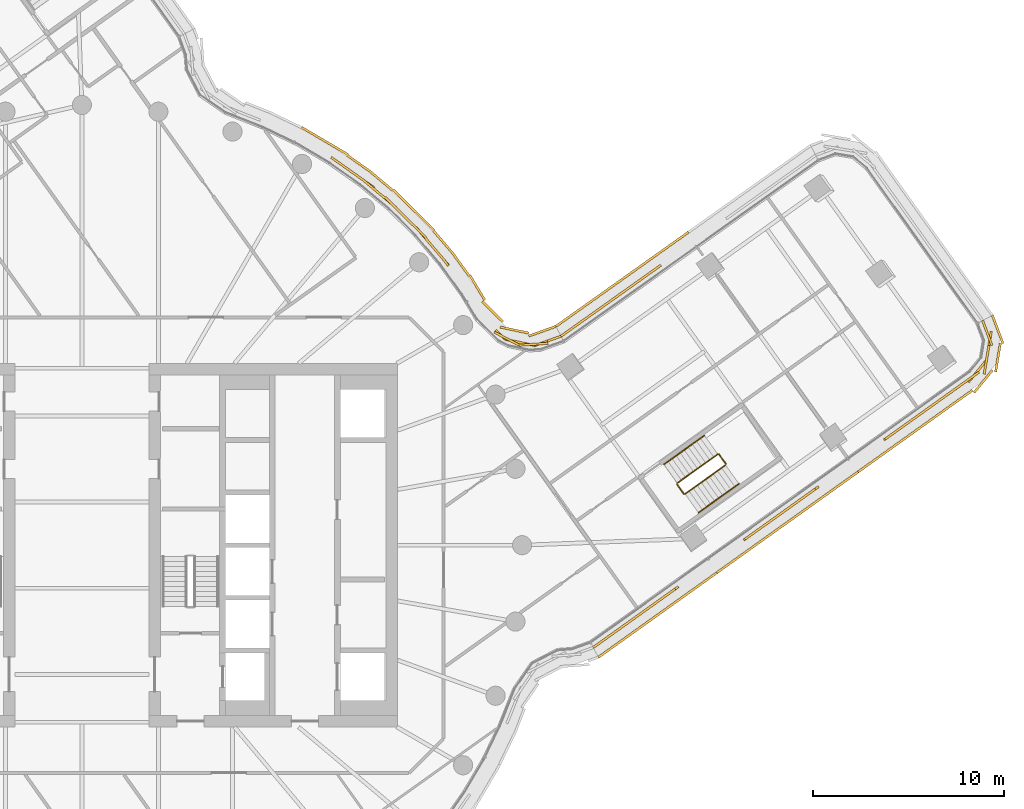
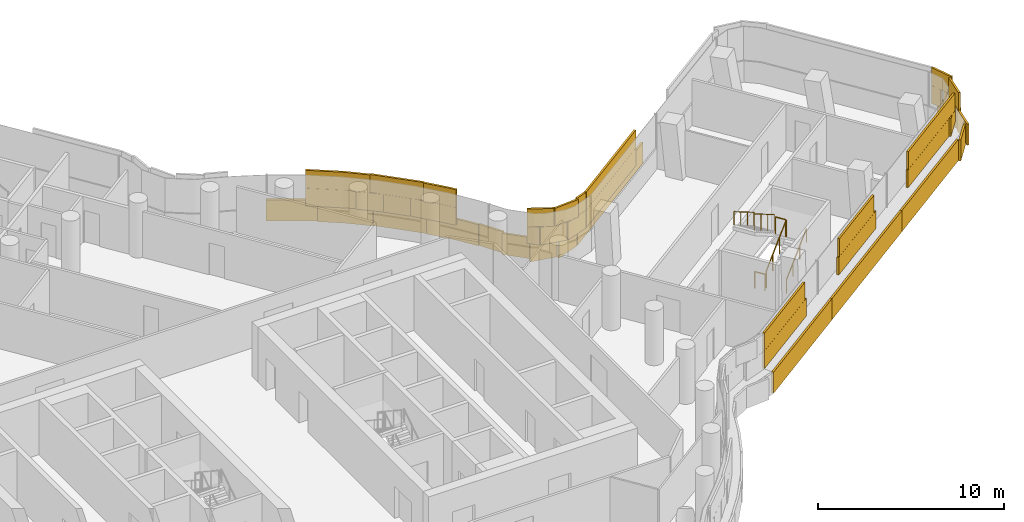
# One storey, part 29 of 31: 6 railings, 5 coverings.
"""IFC4 building model written with IfcOpenShell, lengths in metres."""

from ifc_helpers import new_model, si_unit, direction, frame, origin, origin_2d, place, context, subcontext, project, spatial, rectangle, circle, extrude, material, layer, layer_set, type_object, element, save


model = new_model("IFC4")

# Units and contexts
model_context = context("Model", 3, precision=1e-05, world=origin(), true_north=direction((0.0, 1.0)))
body_context = subcontext(model_context, "Body", "Model", "MODEL_VIEW")
ifc_project = project(units=[si_unit("LENGTHUNIT", "METRE"), si_unit("AREAUNIT", "SQUARE_METRE"), si_unit("VOLUMEUNIT", "CUBIC_METRE"), si_unit("PLANEANGLEUNIT", "RADIAN"), si_unit("MASSUNIT", "GRAM", prefix="KILO")], contexts=[model_context])

# Site, building, storey
site_placement = place(None, origin())
site = spatial("IfcSite", under=ifc_project, at=site_placement, CompositionType="ELEMENT")
building_placement = place(site_placement, origin())
building = spatial("IfcBuilding", under=site, at=building_placement, Name="Tamarind Cross Interchange Tower", CompositionType="ELEMENT")
storey_placement = place(building_placement, frame((0.0, 0.0, 163.0)))
storey = spatial("IfcBuildingStorey", under=building, at=storey_placement, Name="L40", CompositionType="ELEMENT", Elevation=163.0)

# Railings
ifc_material_1 = material(Name="Stair guard")
railing_type_1 = type_object("IfcRailingType", Name="Stair guard", PredefinedType="GUARDRAIL", material=ifc_material_1)
railing_1_placement = place(storey_placement, frame((31.515625, 2.677001953125, 0.17041015625)))
element("IfcRailing", 1, at=railing_1_placement, inside=storey, type_object=railing_type_1, Name="L40 ST3 stair guard 1", PredefinedType="GUARDRAIL", context=body_context, shape_type="SweptSolid", body=[
    extrude(circle(Radius=0.02392578125, at=origin_2d()), frame((0.0, 0.0, 1.076171875), z_axis=(0.680615036095, 0.485940445754, 0.548292855892), x_axis=(-0.581069410293, 0.813854004365, 0.0)), (0.0, 0.0, 1.0), 3.10888671875),
    extrude(circle(Radius=0.02099609375, at=origin_2d()), origin(), (0.0, 0.0, 1.0), 1.052001953125),
    extrude(circle(Radius=0.02099609375, at=origin_2d()), frame((0.705322265625, 0.503662109375, 0.568115234375)), (0.0, 0.0, 1.0), 1.052001953125),
    extrude(circle(Radius=0.02099609375, at=origin_2d()), frame((1.41064453125, 1.007080078125, 1.136474609375)), (0.0, 0.0, 1.0), 1.052001953125),
    extrude(circle(Radius=0.02099609375, at=origin_2d()), frame((2.115966796875, 1.5107421875, 1.70458984375)), (0.0, 0.0, 1.0), 1.052001953125),
])
railing_2_placement = place(storey_placement, frame((33.643310546875, 4.257568359375, 1.875)))
element("IfcRailing", 2, at=railing_2_placement, inside=storey, type_object=railing_type_1, Name="L40 ST3 stair guard 2", PredefinedType="GUARDRAIL", context=body_context, shape_type="SweptSolid", body=[
    extrude(circle(Radius=0.02392578125, at=origin_2d()), frame((0.0, 0.0, 1.076171875), z_axis=(-0.581084212935, 0.813843435483, 0.0), x_axis=(-0.813843435483, -0.581084212935, 0.0)), (0.0, 0.0, 1.0), 0.599853515625),
    extrude(circle(Radius=0.02099609375, at=origin_2d()), origin(), (0.0, 0.0, 1.0), 1.052001953125),
    extrude(circle(Radius=0.02099609375, at=origin_2d()), frame((-0.3486328125, 0.48828125, 0.0)), (0.0, 0.0, 1.0), 1.052001953125),
])
railing_3_placement = place(storey_placement, frame((33.224853515625, 4.757568359375, 2.04541015625)))
element("IfcRailing", 3, at=railing_3_placement, inside=storey, type_object=railing_type_1, Name="L40 ST3 stair guard 3", PredefinedType="GUARDRAIL", context=body_context, shape_type="SweptSolid", body=[
    extrude(circle(Radius=0.02392578125, at=origin_2d()), frame((0.0, 0.0, 1.076171875), z_axis=(-0.680615036095, -0.485940445754, 0.548292855892), x_axis=(0.581069410293, -0.813854004365, 0.0)), (0.0, 0.0, 1.0), 3.10888671875),
    extrude(circle(Radius=0.02099609375, at=origin_2d()), origin(), (0.0, 0.0, 1.0), 1.052001953125),
    extrude(circle(Radius=0.02099609375, at=origin_2d()), frame((-0.705322265625, -0.503662109375, 0.568115234375)), (0.0, 0.0, 1.0), 1.052001953125),
    extrude(circle(Radius=0.02099609375, at=origin_2d()), frame((-1.41064453125, -1.007080078125, 1.136474609375)), (0.0, 0.0, 1.0), 1.052001953125),
    extrude(circle(Radius=0.02099609375, at=origin_2d()), frame((-2.115966796875, -1.5107421875, 1.70458984375)), (0.0, 0.0, 1.0), 1.052001953125),
])
railing_4_placement = place(storey_placement, frame((31.44580078125, 2.688720703125, 0.0)))
element("IfcRailing", 4, at=railing_4_placement, inside=storey, type_object=railing_type_1, Name="L40 ST3 stair guard 4", PredefinedType="GUARDRAIL", context=body_context, shape_type="SweptSolid", body=[
    extrude(circle(Radius=0.02392578125, at=origin_2d()), frame((0.0, 0.0, 1.076171875), z_axis=(-0.581084212935, 0.813843435483, 0.0), x_axis=(-0.813843435483, -0.581084212935, 0.0)), (0.0, 0.0, 1.0), 0.599853515625),
    extrude(circle(Radius=0.02099609375, at=origin_2d()), origin(), (0.0, 0.0, 1.0), 1.052001953125),
    extrude(circle(Radius=0.02099609375, at=origin_2d()), frame((-0.3486328125, 0.48828125, 0.0)), (0.0, 0.0, 1.0), 1.052001953125),
])
ifc_material_2 = material(Name="Stair handrail")
railing_type_2 = type_object("IfcRailingType", Name="Stair handrail", PredefinedType="HANDRAIL", material=ifc_material_2)
railing_5_placement = place(storey_placement, frame((32.212890625, 1.700439453125, 0.17041015625)))
element("IfcRailing", 5, at=railing_5_placement, inside=storey, type_object=railing_type_2, Name="L40 ST3 stair handrail 1", PredefinedType="HANDRAIL", context=body_context, shape_type="SweptSolid", body=[
    extrude(circle(Radius=0.02392578125, at=origin_2d()), frame((0.0, 0.0, 0.8759765625), z_axis=(0.680615036095, 0.485940445754, 0.548292855892), x_axis=(-0.581069410293, 0.813854004365, 0.0)), (0.0, 0.0, 1.0), 3.10888671875),
    extrude(circle(Radius=0.02099609375, at=origin_2d()), origin(), (0.0, 0.0, 1.0), 0.851806640625),
    extrude(circle(Radius=0.02099609375, at=origin_2d()), frame((0.705322265625, 0.503662109375, 0.568115234375)), (0.0, 0.0, 1.0), 0.851806640625),
    extrude(circle(Radius=0.02099609375, at=origin_2d()), frame((1.41064453125, 1.007080078125, 1.136474609375)), (0.0, 0.0, 1.0), 0.851806640625),
    extrude(circle(Radius=0.02099609375, at=origin_2d()), frame((2.115966796875, 1.5107421875, 1.70458984375)), (0.0, 0.0, 1.0), 0.851806640625),
])
railing_6_placement = place(storey_placement, frame((32.527587890625, 5.734130859375, 2.04541015625)))
element("IfcRailing", 6, at=railing_6_placement, inside=storey, type_object=railing_type_2, Name="L40 ST3 stair handrail 2", PredefinedType="HANDRAIL", context=body_context, shape_type="SweptSolid", body=[
    extrude(circle(Radius=0.02392578125, at=origin_2d()), frame((0.0, 0.0, 0.8759765625), z_axis=(-0.680615036095, -0.485940445754, 0.548292855892), x_axis=(0.581069410293, -0.813854004365, 0.0)), (0.0, 0.0, 1.0), 3.10888671875),
    extrude(circle(Radius=0.02099609375, at=origin_2d()), origin(), (0.0, 0.0, 1.0), 0.851806640625),
    extrude(circle(Radius=0.02099609375, at=origin_2d()), frame((-0.705322265625, -0.503662109375, 0.568115234375)), (0.0, 0.0, 1.0), 0.851806640625),
    extrude(circle(Radius=0.02099609375, at=origin_2d()), frame((-1.41064453125, -1.007080078125, 1.136474609375)), (0.0, 0.0, 1.0), 0.851806640625),
    extrude(circle(Radius=0.02099609375, at=origin_2d()), frame((-2.115966796875, -1.5107421875, 1.70458984375)), (0.0, 0.0, 1.0), 0.851806640625),
])

# Coverings
ifc_material_3 = material(Name="Terracotta", Category="masonry")
ifc_layer = layer(ifc_material_3, 0.1201171875)
ifc_layer_set = layer_set([ifc_layer], Name="Terracotta")
covering_type = type_object("IfcCoveringType", Name="Terracotta baguette screen unit", PredefinedType="MOLDING", material=ifc_layer_set)
covering_1_placement = place(storey_placement, origin())
element("IfcCovering", 7, at=covering_1_placement, inside=storey, type_object=covering_type, Name="SCR-L40-03-00", PredefinedType="MOLDING", context=body_context, shape_type="SweptSolid", body=[
    extrude(rectangle(XDim=1.510009765625, YDim=0.1201171875, at=origin_2d()), frame((27.32568359375, -4.909423828125, 1.404052734375), z_axis=(0.0, 0.0, 1.0), x_axis=(0.81388031548, 0.581032556811, 0.0)), (0.0, 0.0, 1.0), 1.1669921875),
    extrude(rectangle(XDim=1.52001953125, YDim=0.1201171875, at=origin_2d()), frame((28.54638671875, -4.037841796875, 1.404052734375), z_axis=(0.0, 0.0, 1.0), x_axis=(0.81388031548, 0.581032556811, 0.0)), (0.0, 0.0, 1.0), 1.1669921875),
    extrude(rectangle(XDim=1.52001953125, YDim=0.1201171875, at=origin_2d()), frame((29.767333984375, -3.166259765625, 1.404052734375), z_axis=(0.0, 0.0, 1.0), x_axis=(0.81388031548, 0.581032556811, 0.0)), (0.0, 0.0, 1.0), 1.1669921875),
    extrude(rectangle(XDim=0.973388671875, YDim=0.1201171875, at=origin_2d()), frame((30.76953125, -2.45068359375, 1.404052734375), z_axis=(0.0, 0.0, 1.0), x_axis=(0.81388031548, 0.581032556811, 0.0)), (0.0, 0.0, 1.0), 1.1669921875),
    extrude(rectangle(XDim=0.760009765625, YDim=0.1201171875, at=origin_2d()), frame((27.0205078125, -5.127197265625, 2.5791015625), z_axis=(0.0, 0.0, 1.0), x_axis=(0.81388031548, 0.581032556811, 0.0)), (0.0, 0.0, 1.0), 1.1669921875),
    extrude(rectangle(XDim=1.52001953125, YDim=0.1201171875, at=origin_2d()), frame((27.93603515625, -4.4736328125, 2.5791015625), z_axis=(0.0, 0.0, 1.0), x_axis=(0.81388031548, 0.581032556811, 0.0)), (0.0, 0.0, 1.0), 1.1669921875),
    extrude(rectangle(XDim=1.52001953125, YDim=0.1201171875, at=origin_2d()), frame((29.15673828125, -3.60205078125, 2.5791015625), z_axis=(0.0, 0.0, 1.0), x_axis=(0.81388031548, 0.581032556811, 0.0)), (0.0, 0.0, 1.0), 1.1669921875),
    extrude(rectangle(XDim=1.52001953125, YDim=0.1201171875, at=origin_2d()), frame((30.377685546875, -2.73046875, 2.5791015625), z_axis=(0.0, 0.0, 1.0), x_axis=(0.81388031548, 0.581032556811, 0.0)), (0.0, 0.0, 1.0), 1.1669921875),
    extrude(rectangle(XDim=1.510009765625, YDim=0.1201171875, at=origin_2d()), frame((27.59912109375, -5.41943359375, 0.00390625), z_axis=(0.0, 0.0, 1.0), x_axis=(0.81388031548, 0.581032556811, 0.0)), (0.0, 0.0, 1.0), 1.39208984375),
    extrude(rectangle(XDim=1.52001953125, YDim=0.1201171875, at=origin_2d()), frame((28.81591796875, -4.55078125, 0.00390625), z_axis=(0.0, 0.0, 1.0), x_axis=(0.81388031548, 0.581032556811, 0.0)), (0.0, 0.0, 1.0), 1.39208984375),
    extrude(rectangle(XDim=1.52001953125, YDim=0.1201171875, at=origin_2d()), frame((30.036865234375, -3.67919921875, 0.00390625), z_axis=(0.0, 0.0, 1.0), x_axis=(0.81388031548, 0.581032556811, 0.0)), (0.0, 0.0, 1.0), 1.39208984375),
    extrude(rectangle(XDim=1.52001953125, YDim=0.1201171875, at=origin_2d()), frame((31.257568359375, -2.8076171875, 0.00390625), z_axis=(0.0, 0.0, 1.0), x_axis=(0.81388031548, 0.581032556811, 0.0)), (0.0, 0.0, 1.0), 1.39208984375),
    extrude(rectangle(XDim=1.52001953125, YDim=0.1201171875, at=origin_2d()), frame((32.478515625, -1.93603515625, 0.00390625), z_axis=(0.0, 0.0, 1.0), x_axis=(0.81388031548, 0.581032556811, 0.0)), (0.0, 0.0, 1.0), 1.39208984375),
    extrude(rectangle(XDim=0.12109375, YDim=0.1201171875, at=origin_2d()), frame((33.1298828125, -1.470947265625, 0.00390625), z_axis=(0.0, 0.0, 1.0), x_axis=(0.81388031548, 0.581032556811, 0.0)), (0.0, 0.0, 1.0), 1.39208984375),
])
covering_2_placement = place(storey_placement, origin())
element("IfcCovering", 8, at=covering_2_placement, inside=storey, type_object=covering_type, Name="SCR-L40-03-01", PredefinedType="MOLDING", context=body_context, shape_type="SweptSolid", body=[
    extrude(rectangle(XDim=0.8466796875, YDim=0.1201171875, at=origin_2d()), frame((34.92041015625, 0.5126953125, 1.404052734375), z_axis=(0.0, 0.0, 1.0), x_axis=(0.81388031548, 0.581032556811, 0.0)), (0.0, 0.0, 1.0), 1.1669921875),
    extrude(rectangle(XDim=1.52001953125, YDim=0.1201171875, at=origin_2d()), frame((35.871337890625, 1.19140625, 1.404052734375), z_axis=(0.0, 0.0, 1.0), x_axis=(0.81388031548, 0.581032556811, 0.0)), (0.0, 0.0, 1.0), 1.1669921875),
    extrude(rectangle(XDim=1.52001953125, YDim=0.1201171875, at=origin_2d()), frame((37.092041015625, 2.06298828125, 1.404052734375), z_axis=(0.0, 0.0, 1.0), x_axis=(0.81388031548, 0.581032556811, 0.0)), (0.0, 0.0, 1.0), 1.1669921875),
    extrude(rectangle(XDim=0.982177734375, YDim=0.1201171875, at=origin_2d()), frame((38.09814453125, 2.78125, 1.404052734375), z_axis=(0.0, 0.0, 1.0), x_axis=(0.81388031548, 0.581032556811, 0.0)), (0.0, 0.0, 1.0), 1.1669921875),
    extrude(rectangle(XDim=1.52001953125, YDim=0.1201171875, at=origin_2d()), frame((35.260986328125, 0.755615234375, 2.5791015625), z_axis=(0.0, 0.0, 1.0), x_axis=(0.81388031548, 0.581032556811, 0.0)), (0.0, 0.0, 1.0), 1.1669921875),
    extrude(rectangle(XDim=1.52001953125, YDim=0.1201171875, at=origin_2d()), frame((36.481689453125, 1.627197265625, 2.5791015625), z_axis=(0.0, 0.0, 1.0), x_axis=(0.81388031548, 0.581032556811, 0.0)), (0.0, 0.0, 1.0), 1.1669921875),
    extrude(rectangle(XDim=1.52001953125, YDim=0.1201171875, at=origin_2d()), frame((37.70263671875, 2.498779296875, 2.5791015625), z_axis=(0.0, 0.0, 1.0), x_axis=(0.81388031548, 0.581032556811, 0.0)), (0.0, 0.0, 1.0), 1.1669921875),
    extrude(rectangle(XDim=1.39892578125, YDim=0.1201171875, at=origin_2d()), frame((33.74853515625, -1.029296875, 0.00390625), z_axis=(0.0, 0.0, 1.0), x_axis=(0.81388031548, 0.581032556811, 0.0)), (0.0, 0.0, 1.0), 1.39208984375),
    extrude(rectangle(XDim=1.52001953125, YDim=0.1201171875, at=origin_2d()), frame((34.920166015625, -0.19287109375, 0.00390625), z_axis=(0.0, 0.0, 1.0), x_axis=(0.81388031548, 0.581032556811, 0.0)), (0.0, 0.0, 1.0), 1.39208984375),
    extrude(rectangle(XDim=1.52001953125, YDim=0.1201171875, at=origin_2d()), frame((36.140869140625, 0.6787109375, 0.00390625), z_axis=(0.0, 0.0, 1.0), x_axis=(0.81388031548, 0.581032556811, 0.0)), (0.0, 0.0, 1.0), 1.39208984375),
    extrude(rectangle(XDim=1.52001953125, YDim=0.1201171875, at=origin_2d()), frame((37.36181640625, 1.55029296875, 0.00390625), z_axis=(0.0, 0.0, 1.0), x_axis=(0.81388031548, 0.581032556811, 0.0)), (0.0, 0.0, 1.0), 1.39208984375),
    extrude(rectangle(XDim=1.52001953125, YDim=0.1201171875, at=origin_2d()), frame((38.58251953125, 2.421630859375, 0.00390625), z_axis=(0.0, 0.0, 1.0), x_axis=(0.81388031548, 0.581032556811, 0.0)), (0.0, 0.0, 1.0), 1.39208984375),
    extrude(rectangle(XDim=1.52001953125, YDim=0.1201171875, at=origin_2d()), frame((39.803466796875, 3.293212890625, 0.00390625), z_axis=(0.0, 0.0, 1.0), x_axis=(0.81388031548, 0.581032556811, 0.0)), (0.0, 0.0, 1.0), 1.39208984375),
    extrude(rectangle(XDim=0.186767578125, YDim=0.1201171875, at=origin_2d()), frame((40.481689453125, 3.777587890625, 0.00390625), z_axis=(0.0, 0.0, 1.0), x_axis=(0.81388031548, 0.581032556811, 0.0)), (0.0, 0.0, 1.0), 1.39208984375),
])
covering_3_placement = place(storey_placement, origin())
element("IfcCovering", 9, at=covering_3_placement, inside=storey, type_object=covering_type, Name="SCR-L40-03-02", PredefinedType="MOLDING", context=body_context, shape_type="SweptSolid", body=[
    extrude(rectangle(XDim=0.837890625, YDim=0.1201171875, at=origin_2d()), frame((42.2490234375, 5.744384765625, 1.404052734375), z_axis=(0.0, 0.0, 1.0), x_axis=(0.81388031548, 0.581032556811, 0.0)), (0.0, 0.0, 1.0), 1.1669921875),
    extrude(rectangle(XDim=1.52001953125, YDim=0.1201171875, at=origin_2d()), frame((43.1962890625, 6.420654296875, 1.404052734375), z_axis=(0.0, 0.0, 1.0), x_axis=(0.81388031548, 0.581032556811, 0.0)), (0.0, 0.0, 1.0), 1.1669921875),
    extrude(rectangle(XDim=1.52001953125, YDim=0.1201171875, at=origin_2d()), frame((44.4169921875, 7.292236328125, 1.404052734375), z_axis=(0.0, 0.0, 1.0), x_axis=(0.81388031548, 0.581032556811, 0.0)), (0.0, 0.0, 1.0), 1.1669921875),
    extrude(rectangle(XDim=1.52001953125, YDim=0.1201171875, at=origin_2d()), frame((45.637939453125, 8.163818359375, 1.404052734375), z_axis=(0.0, 0.0, 1.0), x_axis=(0.81388031548, 0.581032556811, 0.0)), (0.0, 0.0, 1.0), 1.1669921875),
    extrude(rectangle(XDim=1.52001953125, YDim=0.1201171875, at=origin_2d()), frame((46.797607421875, 9.100830078125, 1.404052734375), z_axis=(0.0, 0.0, 1.0), x_axis=(0.635765724703, 0.771882078618, 0.0)), (0.0, 0.0, 1.0), 1.1669921875),
    extrude(rectangle(XDim=1.52001953125, YDim=0.1201171875, at=origin_2d()), frame((47.387451171875, 10.42431640625, 1.404052734375), z_axis=(0.0, 0.0, 1.0), x_axis=(0.164648229139, 0.986352351161, 0.0)), (0.0, 0.0, 1.0), 1.1669921875),
    extrude(rectangle(XDim=0.642822265625, YDim=0.1201171875, at=origin_2d()), frame((47.17431640625, 11.4384765625, 1.404052734375), z_axis=(0.0, 0.0, 1.0), x_axis=(-0.350586626458, 0.936530307758, 0.0)), (0.0, 0.0, 1.0), 1.1669921875),
    extrude(rectangle(XDim=1.52001953125, YDim=0.1201171875, at=origin_2d()), frame((42.5859375, 5.98486328125, 2.5791015625), z_axis=(0.0, 0.0, 1.0), x_axis=(0.81388031548, 0.581032556811, 0.0)), (0.0, 0.0, 1.0), 1.1669921875),
    extrude(rectangle(XDim=1.52001953125, YDim=0.1201171875, at=origin_2d()), frame((43.806640625, 6.8564453125, 2.5791015625), z_axis=(0.0, 0.0, 1.0), x_axis=(0.81388031548, 0.581032556811, 0.0)), (0.0, 0.0, 1.0), 1.1669921875),
    extrude(rectangle(XDim=1.52001953125, YDim=0.1201171875, at=origin_2d()), frame((45.027587890625, 7.72802734375, 2.5791015625), z_axis=(0.0, 0.0, 1.0), x_axis=(0.81388031548, 0.581032556811, 0.0)), (0.0, 0.0, 1.0), 1.1669921875),
    extrude(rectangle(XDim=1.52001953125, YDim=0.1201171875, at=origin_2d()), frame((46.248291015625, 8.599609375, 2.5791015625), z_axis=(0.0, 0.0, 1.0), x_axis=(0.81388031548, 0.581032556811, 0.0)), (0.0, 0.0, 1.0), 1.1669921875),
    extrude(rectangle(XDim=1.52001953125, YDim=0.1201171875, at=origin_2d()), frame((47.26416015625, 9.6845703125, 2.5791015625), z_axis=(0.0, 0.0, 1.0), x_axis=(0.164648229139, 0.986352351161, 0.0)), (0.0, 0.0, 1.0), 1.1669921875),
    extrude(rectangle(XDim=1.392822265625, YDim=0.1201171875, at=origin_2d()), frame((47.3056640625, 11.08740234375, 2.5791015625), z_axis=(0.0, 0.0, 1.0), x_axis=(-0.350586626458, 0.936530307758, 0.0)), (0.0, 0.0, 1.0), 1.1669921875),
    extrude(rectangle(XDim=1.3330078125, YDim=0.1201171875, at=origin_2d()), frame((41.100341796875, 4.218994140625, 0.00390625), z_axis=(0.0, 0.0, 1.0), x_axis=(0.81388031548, 0.581032556811, 0.0)), (0.0, 0.0, 1.0), 1.39208984375),
    extrude(rectangle(XDim=1.52001953125, YDim=0.1201171875, at=origin_2d()), frame((42.2451171875, 5.036376953125, 0.00390625), z_axis=(0.0, 0.0, 1.0), x_axis=(0.81388031548, 0.581032556811, 0.0)), (0.0, 0.0, 1.0), 1.39208984375),
    extrude(rectangle(XDim=1.52001953125, YDim=0.1201171875, at=origin_2d()), frame((43.4658203125, 5.907958984375, 0.00390625), z_axis=(0.0, 0.0, 1.0), x_axis=(0.81388031548, 0.581032556811, 0.0)), (0.0, 0.0, 1.0), 1.39208984375),
    extrude(rectangle(XDim=1.52001953125, YDim=0.1201171875, at=origin_2d()), frame((44.6865234375, 6.779541015625, 0.00390625), z_axis=(0.0, 0.0, 1.0), x_axis=(0.81388031548, 0.581032556811, 0.0)), (0.0, 0.0, 1.0), 1.39208984375),
    extrude(rectangle(XDim=1.52001953125, YDim=0.1201171875, at=origin_2d()), frame((45.907470703125, 7.651123046875, 0.00390625), z_axis=(0.0, 0.0, 1.0), x_axis=(0.81388031548, 0.581032556811, 0.0)), (0.0, 0.0, 1.0), 1.39208984375),
    extrude(rectangle(XDim=1.52001953125, YDim=0.1201171875, at=origin_2d()), frame((47.0947265625, 8.55859375, 0.00390625), z_axis=(0.0, 0.0, 1.0), x_axis=(0.635765724703, 0.771882078618, 0.0)), (0.0, 0.0, 1.0), 1.39208984375),
    extrude(rectangle(XDim=1.52001953125, YDim=0.1201171875, at=origin_2d()), frame((47.865234375, 9.7998046875, 0.00390625), z_axis=(0.0, 0.0, 1.0), x_axis=(0.164648229139, 0.986352351161, 0.0)), (0.0, 0.0, 1.0), 1.39208984375),
    extrude(rectangle(XDim=1.52001953125, YDim=0.1201171875, at=origin_2d()), frame((47.85595703125, 11.254638671875, 0.00390625), z_axis=(0.0, 0.0, 1.0), x_axis=(-0.350586626458, 0.936530307758, 0.0)), (0.0, 0.0, 1.0), 1.39208984375),
    extrude(rectangle(XDim=0.063232421875, YDim=0.1201171875, at=origin_2d()), frame((47.58544921875, 11.977294921875, 0.00390625), z_axis=(0.0, 0.0, 1.0), x_axis=(-0.350586626458, 0.936530307758, 0.0)), (0.0, 0.0, 1.0), 1.39208984375),
])
covering_4_placement = place(storey_placement, origin())
element("IfcCovering", 10, at=covering_4_placement, inside=storey, type_object=covering_type, Name="SCR-L40-05-01", PredefinedType="MOLDING", context=body_context, shape_type="SweptSolid", body=[
    extrude(rectangle(XDim=0.58349609375, YDim=0.1201171875, at=origin_2d()), frame((30.014404296875, 14.461669921875, 1.404052734375), z_axis=(0.0, 0.0, 1.0), x_axis=(-0.815214734027, -0.579158818828, 0.0)), (0.0, 0.0, 1.0), 1.1669921875),
    extrude(rectangle(XDim=1.52001953125, YDim=0.1201171875, at=origin_2d()), frame((29.169189453125, 13.861328125, 1.404052734375), z_axis=(0.0, 0.0, 1.0), x_axis=(-0.815214734027, -0.579158818828, 0.0)), (0.0, 0.0, 1.0), 1.1669921875),
    extrude(rectangle(XDim=1.52001953125, YDim=0.1201171875, at=origin_2d()), frame((27.946533203125, 12.99267578125, 1.404052734375), z_axis=(0.0, 0.0, 1.0), x_axis=(-0.815214734027, -0.579158818828, 0.0)), (0.0, 0.0, 1.0), 1.1669921875),
    extrude(rectangle(XDim=1.52001953125, YDim=0.1201171875, at=origin_2d()), frame((26.7236328125, 12.123779296875, 1.404052734375), z_axis=(0.0, 0.0, 1.0), x_axis=(-0.815214734027, -0.579158818828, 0.0)), (0.0, 0.0, 1.0), 1.1669921875),
    extrude(rectangle(XDim=1.3330078125, YDim=0.1201171875, at=origin_2d()), frame((25.572998046875, 11.306396484375, 1.404052734375), z_axis=(0.0, 0.0, 1.0), x_axis=(-0.815214734027, -0.579158818828, 0.0)), (0.0, 0.0, 1.0), 1.1669921875),
    extrude(rectangle(XDim=1.33349609375, YDim=0.1201171875, at=origin_2d()), frame((29.708740234375, 14.24462890625, 2.5791015625), z_axis=(0.0, 0.0, 1.0), x_axis=(-0.815214734027, -0.579158818828, 0.0)), (0.0, 0.0, 1.0), 1.1669921875),
    extrude(rectangle(XDim=1.52001953125, YDim=0.1201171875, at=origin_2d()), frame((28.557861328125, 13.427001953125, 2.5791015625), z_axis=(0.0, 0.0, 1.0), x_axis=(-0.815214734027, -0.579158818828, 0.0)), (0.0, 0.0, 1.0), 1.1669921875),
    extrude(rectangle(XDim=1.52001953125, YDim=0.1201171875, at=origin_2d()), frame((27.3349609375, 12.55810546875, 2.5791015625), z_axis=(0.0, 0.0, 1.0), x_axis=(-0.815214734027, -0.579158818828, 0.0)), (0.0, 0.0, 1.0), 1.1669921875),
    extrude(rectangle(XDim=1.52001953125, YDim=0.1201171875, at=origin_2d()), frame((26.1123046875, 11.689453125, 2.5791015625), z_axis=(0.0, 0.0, 1.0), x_axis=(-0.815214734027, -0.579158818828, 0.0)), (0.0, 0.0, 1.0), 1.1669921875),
    extrude(rectangle(XDim=0.5830078125, YDim=0.1201171875, at=origin_2d()), frame((25.267333984375, 11.089111328125, 2.5791015625), z_axis=(0.0, 0.0, 1.0), x_axis=(-0.815214734027, -0.579158818828, 0.0)), (0.0, 0.0, 1.0), 1.1669921875),
    extrude(rectangle(XDim=1.185546875, YDim=0.1201171875, at=origin_2d()), frame((31.207275390625, 16.01318359375, 0.00390625), z_axis=(0.0, 0.0, 1.0), x_axis=(-0.815214734027, -0.579158818828, 0.0)), (0.0, 0.0, 1.0), 1.39208984375),
    extrude(rectangle(XDim=1.52001953125, YDim=0.1201171875, at=origin_2d()), frame((30.120849609375, 15.241455078125, 0.00390625), z_axis=(0.0, 0.0, 1.0), x_axis=(-0.815214734027, -0.579158818828, 0.0)), (0.0, 0.0, 1.0), 1.39208984375),
    extrude(rectangle(XDim=1.52001953125, YDim=0.1201171875, at=origin_2d()), frame((28.89794921875, 14.37255859375, 0.00390625), z_axis=(0.0, 0.0, 1.0), x_axis=(-0.815214734027, -0.579158818828, 0.0)), (0.0, 0.0, 1.0), 1.39208984375),
    extrude(rectangle(XDim=1.52001953125, YDim=0.1201171875, at=origin_2d()), frame((27.675048828125, 13.50390625, 0.00390625), z_axis=(0.0, 0.0, 1.0), x_axis=(-0.815214734027, -0.579158818828, 0.0)), (0.0, 0.0, 1.0), 1.39208984375),
    extrude(rectangle(XDim=1.52001953125, YDim=0.1201171875, at=origin_2d()), frame((26.452392578125, 12.63525390625, 0.00390625), z_axis=(0.0, 0.0, 1.0), x_axis=(-0.815214734027, -0.579158818828, 0.0)), (0.0, 0.0, 1.0), 1.39208984375),
    extrude(rectangle(XDim=1.3291015625, YDim=0.1201171875, at=origin_2d()), frame((25.307373046875, 11.82177734375, 0.00390625), z_axis=(0.0, 0.0, 1.0), x_axis=(-0.815214734027, -0.579158818828, 0.0)), (0.0, 0.0, 1.0), 1.39208984375),
])
covering_5_placement = place(storey_placement, origin())
element("IfcCovering", 11, at=covering_5_placement, inside=storey, type_object=covering_type, Name="SCR-L40-06-00", PredefinedType="MOLDING", context=body_context, shape_type="SweptSolid", body=[
    extrude(rectangle(XDim=1.510009765625, YDim=0.1201171875, at=origin_2d()), frame((24.32763671875, 10.669921875, 1.404052734375), z_axis=(0.0, 0.0, 1.0), x_axis=(-0.941268895253, -0.337657913915, 0.0)), (0.0, 0.0, 1.0), 1.1669921875),
    extrude(rectangle(XDim=1.52001953125, YDim=0.1201171875, at=origin_2d()), frame((22.86669921875, 10.59814453125, 1.404052734375), z_axis=(0.0, 0.0, 1.0), x_axis=(-0.978711265079, 0.205241953817, 0.0)), (0.0, 0.0, 1.0), 1.1669921875),
    extrude(rectangle(XDim=0.699462890625, YDim=0.1201171875, at=origin_2d()), frame((21.86474609375, 10.995849609375, 1.404052734375), z_axis=(0.0, 0.0, 1.0), x_axis=(-0.708745099865, 0.705464657809, 0.0)), (0.0, 0.0, 1.0), 1.1669921875),
    extrude(rectangle(XDim=1.120361328125, YDim=0.1201171875, at=origin_2d()), frame((18.7998046875, 15.043701171875, 1.404052734375), z_axis=(0.0, 0.0, 1.0), x_axis=(-0.64957723968, 0.760295606781, 0.0)), (0.0, 0.0, 1.0), 1.1669921875),
    extrude(rectangle(XDim=1.52001953125, YDim=0.1201171875, at=origin_2d()), frame((17.951904296875, 16.0361328125, 1.404052734375), z_axis=(0.0, 0.0, 1.0), x_axis=(-0.64957723968, 0.760295606781, 0.0)), (0.0, 0.0, 1.0), 1.1669921875),
    extrude(rectangle(XDim=1.52001953125, YDim=0.1201171875, at=origin_2d()), frame((16.914794921875, 17.1181640625, 1.404052734375), z_axis=(0.0, 0.0, 1.0), x_axis=(-0.710143317658, 0.704057148523, 0.0)), (0.0, 0.0, 1.0), 1.1669921875),
    extrude(rectangle(XDim=1.52001953125, YDim=0.1201171875, at=origin_2d()), frame((15.8193359375, 18.14111328125, 1.404052734375), z_axis=(0.0, 0.0, 1.0), x_axis=(-0.765858396687, 0.643009266048, 0.0)), (0.0, 0.0, 1.0), 1.1669921875),
    extrude(rectangle(XDim=1.52001953125, YDim=0.1201171875, at=origin_2d()), frame((14.667724609375, 19.10205078125, 1.404052734375), z_axis=(0.0, 0.0, 1.0), x_axis=(-0.816341886298, 0.577568978284, 0.0)), (0.0, 0.0, 1.0), 1.1669921875),
    extrude(rectangle(XDim=1.267822265625, YDim=0.1201171875, at=origin_2d()), frame((13.542236328125, 19.8984375, 1.404052734375), z_axis=(0.0, 0.0, 1.0), x_axis=(-0.816341886298, 0.577568978284, 0.0)), (0.0, 0.0, 1.0), 1.1669921875),
    extrude(rectangle(XDim=0.760009765625, YDim=0.1201171875, at=origin_2d()), frame((24.6806640625, 10.796630859375, 2.5791015625), z_axis=(0.0, 0.0, 1.0), x_axis=(-0.941268895253, -0.337657913915, 0.0)), (0.0, 0.0, 1.0), 1.1669921875),
    extrude(rectangle(XDim=1.52001953125, YDim=0.1201171875, at=origin_2d()), frame((23.6044921875, 10.49951171875, 2.5791015625), z_axis=(0.0, 0.0, 1.0), x_axis=(-0.997630202336, -0.06880391985, 0.0)), (0.0, 0.0, 1.0), 1.1669921875),
    extrude(rectangle(XDim=1.449462890625, YDim=0.1201171875, at=origin_2d()), frame((22.18212890625, 10.8017578125, 2.5791015625), z_axis=(0.0, 0.0, 1.0), x_axis=(-0.885939688838, 0.463800461127, 0.0)), (0.0, 0.0, 1.0), 1.1669921875),
    extrude(rectangle(XDim=0.370361328125, YDim=0.1201171875, at=origin_2d()), frame((19.033447265625, 14.750732421875, 2.5791015625), z_axis=(0.0, 0.0, 1.0), x_axis=(-0.584573890505, 0.811340475102, 0.0)), (0.0, 0.0, 1.0), 1.1669921875),
    extrude(rectangle(XDim=1.52001953125, YDim=0.1201171875, at=origin_2d()), frame((18.439208984375, 15.4658203125, 2.5791015625), z_axis=(0.0, 0.0, 1.0), x_axis=(-0.64957723968, 0.760295606781, 0.0)), (0.0, 0.0, 1.0), 1.1669921875),
    extrude(rectangle(XDim=1.52001953125, YDim=0.1201171875, at=origin_2d()), frame((17.447509765625, 16.590087890625, 2.5791015625), z_axis=(0.0, 0.0, 1.0), x_axis=(-0.710143317658, 0.704057148523, 0.0)), (0.0, 0.0, 1.0), 1.1669921875),
    extrude(rectangle(XDim=1.52001953125, YDim=0.1201171875, at=origin_2d()), frame((16.38232421875, 17.646240234375, 2.5791015625), z_axis=(0.0, 0.0, 1.0), x_axis=(-0.710143317658, 0.704057148523, 0.0)), (0.0, 0.0, 1.0), 1.1669921875),
    extrude(rectangle(XDim=1.52001953125, YDim=0.1201171875, at=origin_2d()), frame((15.244873046875, 18.623291015625, 2.5791015625), z_axis=(0.0, 0.0, 1.0), x_axis=(-0.765858396687, 0.643009266048, 0.0)), (0.0, 0.0, 1.0), 1.1669921875),
    extrude(rectangle(XDim=1.52001953125, YDim=0.1201171875, at=origin_2d()), frame((14.0556640625, 19.53515625, 2.5791015625), z_axis=(0.0, 0.0, 1.0), x_axis=(-0.816341886298, 0.577568978284, 0.0)), (0.0, 0.0, 1.0), 1.1669921875),
    extrude(rectangle(XDim=0.517822265625, YDim=0.1201171875, at=origin_2d()), frame((13.236083984375, 20.114990234375, 2.5791015625), z_axis=(0.0, 0.0, 1.0), x_axis=(-0.816341886298, 0.577568978284, 0.0)), (0.0, 0.0, 1.0), 1.1669921875),
    extrude(rectangle(XDim=1.510009765625, YDim=0.1201171875, at=origin_2d()), frame((24.054931640625, 11.181884765625, 0.00390625), z_axis=(0.0, 0.0, 1.0), x_axis=(-0.941268895253, -0.337657913915, 0.0)), (0.0, 0.0, 1.0), 1.39208984375),
    extrude(rectangle(XDim=1.52001953125, YDim=0.1201171875, at=origin_2d()), frame((22.595703125, 11.241455078125, 0.00390625), z_axis=(0.0, 0.0, 1.0), x_axis=(-0.978711265079, 0.205241953817, 0.0)), (0.0, 0.0, 1.0), 1.39208984375),
    extrude(rectangle(XDim=1.52001953125, YDim=0.1201171875, at=origin_2d()), frame((21.464599609375, 12.203857421875, 0.00390625), z_axis=(0.0, 0.0, 1.0), x_axis=(-0.708745099865, 0.705464657809, 0.0)), (0.0, 0.0, 1.0), 1.39208984375),
    extrude(rectangle(XDim=1.52001953125, YDim=0.1201171875, at=origin_2d()), frame((20.656005859375, 13.461669921875, 0.00390625), z_axis=(0.0, 0.0, 1.0), x_axis=(-0.516716751122, 0.856156410424, 0.0)), (0.0, 0.0, 1.0), 1.39208984375),
    extrude(rectangle(XDim=1.52001953125, YDim=0.1201171875, at=origin_2d()), frame((19.788330078125, 14.684814453125, 0.00390625), z_axis=(0.0, 0.0, 1.0), x_axis=(-0.584573890505, 0.811340475102, 0.0)), (0.0, 0.0, 1.0), 1.39208984375),
    extrude(rectangle(XDim=1.52001953125, YDim=0.1201171875, at=origin_2d()), frame((18.857666015625, 15.859619140625, 0.00390625), z_axis=(0.0, 0.0, 1.0), x_axis=(-0.64957723968, 0.760295606781, 0.0)), (0.0, 0.0, 1.0), 1.39208984375),
    extrude(rectangle(XDim=1.52001953125, YDim=0.1201171875, at=origin_2d()), frame((17.865966796875, 16.983642578125, 0.00390625), z_axis=(0.0, 0.0, 1.0), x_axis=(-0.710143317658, 0.704057148523, 0.0)), (0.0, 0.0, 1.0), 1.39208984375),
    extrude(rectangle(XDim=1.52001953125, YDim=0.1201171875, at=origin_2d()), frame((16.80078125, 18.039794921875, 0.00390625), z_axis=(0.0, 0.0, 1.0), x_axis=(-0.710143317658, 0.704057148523, 0.0)), (0.0, 0.0, 1.0), 1.39208984375),
    extrude(rectangle(XDim=1.52001953125, YDim=0.1201171875, at=origin_2d()), frame((15.665771484375, 19.01953125, 0.00390625), z_axis=(0.0, 0.0, 1.0), x_axis=(-0.765858396687, 0.643009266048, 0.0)), (0.0, 0.0, 1.0), 1.39208984375),
    extrude(rectangle(XDim=1.52001953125, YDim=0.1201171875, at=origin_2d()), frame((14.48095703125, 19.937255859375, 0.00390625), z_axis=(0.0, 0.0, 1.0), x_axis=(-0.816341886298, 0.577568978284, 0.0)), (0.0, 0.0, 1.0), 1.39208984375),
    extrude(rectangle(XDim=1.52001953125, YDim=0.1201171875, at=origin_2d()), frame((13.24853515625, 20.79150390625, 0.00390625), z_axis=(0.0, 0.0, 1.0), x_axis=(-0.861248933065, 0.508183308752, 0.0)), (0.0, 0.0, 1.0), 1.39208984375),
    extrude(rectangle(XDim=1.30810546875, YDim=0.1201171875, at=origin_2d()), frame((12.0478515625, 21.5, 0.00390625), z_axis=(0.0, 0.0, 1.0), x_axis=(-0.861248933065, 0.508183308752, 0.0)), (0.0, 0.0, 1.0), 1.39208984375),
])

save(model, "model.ifc")
